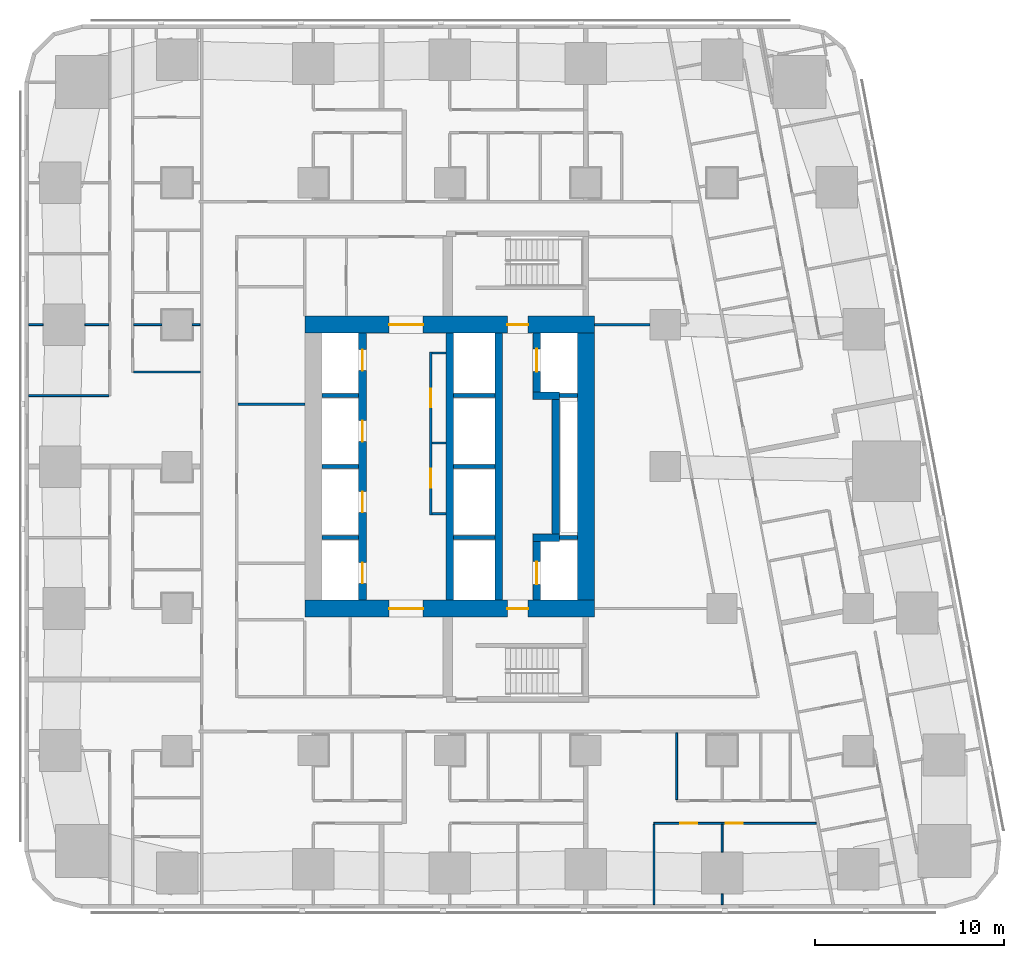
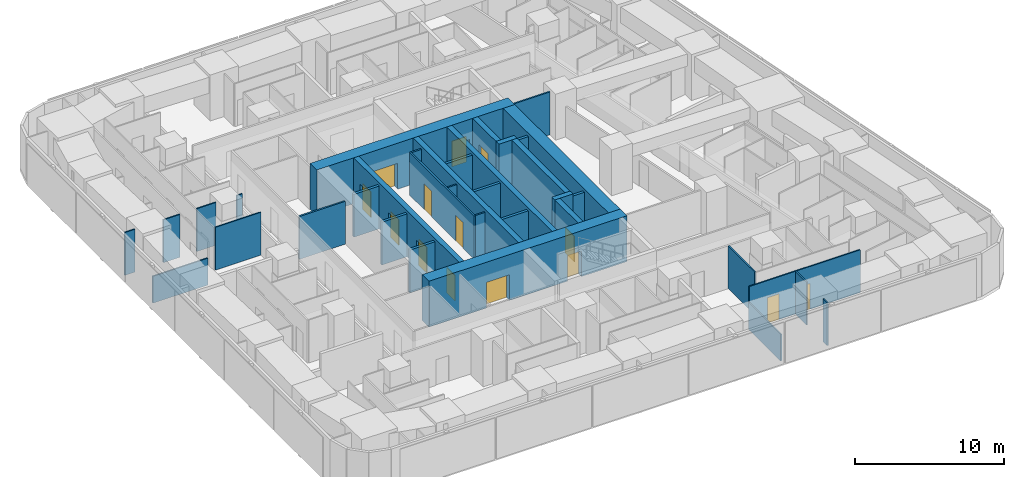
# One storey, part 6 of 17: 36 walls, 14 doors, 14 openings.
"""IFC4 building model written with IfcOpenShell, lengths in metres."""

from ifc_helpers import new_model, si_unit, direction, frame, frame_2d, origin, place, context, subcontext, project, spatial, rectangle, extrude, material, layer, layer_set, type_object, element, fill, save


model = new_model("IFC4")

# Units and contexts
model_context = context("Model", 3, precision=1e-05, world=origin(), true_north=direction((0.0, 1.0)))
body_context = subcontext(model_context, "Body", "Model", "MODEL_VIEW")
ifc_project = project(units=[si_unit("LENGTHUNIT", "METRE"), si_unit("AREAUNIT", "SQUARE_METRE"), si_unit("VOLUMEUNIT", "CUBIC_METRE"), si_unit("PLANEANGLEUNIT", "RADIAN"), si_unit("MASSUNIT", "GRAM", prefix="KILO")], contexts=[model_context])

# Site, building, storey
site_placement = place(None, origin())
site = spatial("IfcSite", under=ifc_project, at=site_placement, CompositionType="ELEMENT")
building_placement = place(site_placement, origin())
building = spatial("IfcBuilding", under=site, at=building_placement, Name="Sheger Commons Tower", CompositionType="ELEMENT")
storey_placement = place(building_placement, frame((0.0, 0.0, 115.39990234375)))
storey = spatial("IfcBuildingStorey", under=building, at=storey_placement, Name="L29", CompositionType="ELEMENT", Elevation=115.39990234375)

# Wall, openings, doors
ifc_material_1 = material(Name="Concrete C50/60", Category="concrete")
ifc_layer_1 = layer(ifc_material_1, 0.39990234375)
ifc_layer_set_1 = layer_set([ifc_layer_1], Name="CORE INNER WALL 400")
wall_type_1 = type_object("IfcWallType", Name="CORE INNER WALL 400", PredefinedType="SHEAR", material=ifc_layer_set_1)
wall_1_placement = place(storey_placement, frame((17.0, 15.449951171875, 0.0), z_axis=(0.0, 0.0, 1.0), x_axis=(0.0, 1.0, 0.0)))
wall_1 = element("IfcWall", 1, at=wall_1_placement, inside=storey, type_object=wall_type_1, Name="Core inner wall A L29", PredefinedType="SHEAR", context=body_context, shape_type="SweptSolid", body=[
    extrude(rectangle(XDim=14.10009765625, YDim=0.39990234375, at=frame_2d((7.050048828125, 0.0))), origin(), (0.0, 0.0, 1.0), 3.75),
])
opening_1_placement = place(wall_1_placement, frame((0.875, 0.0, 0.0)))
opening_1 = element("IfcOpeningElement", 2, at=opening_1_placement, cuts=wall_1, Name="Opening LD", PredefinedType="OPENING", context=body_context, shape_type="SweptSolid", body=[
    extrude(rectangle(XDim=1.10009765625, YDim=2.10009765625, at=frame_2d((0.550048828125, 1.050048828125))), frame((0.0, 0.2099609375, 0.0), z_axis=(0.0, -1.0, 0.0), x_axis=(1.0, 0.0, 0.0)), (0.0, 0.0, 1.0), 0.419921875),
])
opening_2_placement = place(wall_1_placement, frame((4.625, 0.0, 0.0)))
opening_2 = element("IfcOpeningElement", 3, at=opening_2_placement, cuts=wall_1, Name="Opening LD", PredefinedType="OPENING", context=body_context, shape_type="SweptSolid", body=[
    extrude(rectangle(XDim=1.10009765625, YDim=2.10009765625, at=frame_2d((0.550048828125, 1.050048828125))), frame((0.0, 0.2099609375, 0.0), z_axis=(0.0, -1.0, 0.0), x_axis=(1.0, 0.0, 0.0)), (0.0, 0.0, 1.0), 0.419921875),
])
opening_3_placement = place(wall_1_placement, frame((8.375, 0.0, 0.0)))
opening_3 = element("IfcOpeningElement", 4, at=opening_3_placement, cuts=wall_1, Name="Opening LD", PredefinedType="OPENING", context=body_context, shape_type="SweptSolid", body=[
    extrude(rectangle(XDim=1.10009765625, YDim=2.10009765625, at=frame_2d((0.550048828125, 1.050048828125))), frame((0.0, 0.2099609375, 0.0), z_axis=(0.0, -1.0, 0.0), x_axis=(1.0, 0.0, 0.0)), (0.0, 0.0, 1.0), 0.419921875),
])
opening_4_placement = place(wall_1_placement, frame((12.125, 0.0, 0.0)))
opening_4 = element("IfcOpeningElement", 5, at=opening_4_placement, cuts=wall_1, Name="Opening LD", PredefinedType="OPENING", context=body_context, shape_type="SweptSolid", body=[
    extrude(rectangle(XDim=1.10009765625, YDim=2.10009765625, at=frame_2d((0.550048828125, 1.050048828125))), frame((0.0, 0.2099609375, 0.0), z_axis=(0.0, -1.0, 0.0), x_axis=(1.0, 0.0, 0.0)), (0.0, 0.0, 1.0), 0.419921875),
])
ifc_material_2 = material(Name="Steel door set, fire rated", Category="steel")
door_type_1 = type_object("IfcDoorType", Name="LIFT LANDING DOOR 1100x2100", OperationType="DOUBLE_DOOR_SLIDING", PredefinedType="DOOR", material=ifc_material_2)
door_1_placement = place(opening_1_placement, origin())
door_1 = element("IfcDoor", 6, at=door_1_placement, inside=storey, type_object=door_type_1, Name="Lift LA1 landing door", OperationType="DOUBLE_DOOR_SLIDING", OverallHeight=2.10009765625, OverallWidth=1.10009765625, PredefinedType="DOOR", context=body_context, shape_type="SweptSolid", body=[
    extrude(rectangle(XDim=1.10009765625, YDim=2.10009765625, at=frame_2d((0.550048828125, 1.050048828125))), frame((0.0, 0.02490234375, 0.0), z_axis=(0.0, -1.0, 0.0), x_axis=(1.0, 0.0, 0.0)), (0.0, 0.0, 1.0), 0.050048828125),
])
fill(opening_1, door_1)
door_2_placement = place(opening_2_placement, origin())
door_2 = element("IfcDoor", 7, at=door_2_placement, inside=storey, type_object=door_type_1, Name="Lift LA2 landing door", OperationType="DOUBLE_DOOR_SLIDING", OverallHeight=2.10009765625, OverallWidth=1.10009765625, PredefinedType="DOOR", context=body_context, shape_type="SweptSolid", body=[
    extrude(rectangle(XDim=1.10009765625, YDim=2.10009765625, at=frame_2d((0.550048828125, 1.050048828125))), frame((0.0, 0.02490234375, 0.0), z_axis=(0.0, -1.0, 0.0), x_axis=(1.0, 0.0, 0.0)), (0.0, 0.0, 1.0), 0.050048828125),
])
fill(opening_2, door_2)
door_3_placement = place(opening_3_placement, origin())
door_3 = element("IfcDoor", 8, at=door_3_placement, inside=storey, type_object=door_type_1, Name="Lift LA3 landing door", OperationType="DOUBLE_DOOR_SLIDING", OverallHeight=2.10009765625, OverallWidth=1.10009765625, PredefinedType="DOOR", context=body_context, shape_type="SweptSolid", body=[
    extrude(rectangle(XDim=1.10009765625, YDim=2.10009765625, at=frame_2d((0.550048828125, 1.050048828125))), frame((0.0, 0.02490234375, 0.0), z_axis=(0.0, -1.0, 0.0), x_axis=(1.0, 0.0, 0.0)), (0.0, 0.0, 1.0), 0.050048828125),
])
fill(opening_3, door_3)
door_4_placement = place(opening_4_placement, origin())
door_4 = element("IfcDoor", 9, at=door_4_placement, inside=storey, type_object=door_type_1, Name="Lift LA4 landing door", OperationType="DOUBLE_DOOR_SLIDING", OverallHeight=2.10009765625, OverallWidth=1.10009765625, PredefinedType="DOOR", context=body_context, shape_type="SweptSolid", body=[
    extrude(rectangle(XDim=1.10009765625, YDim=2.10009765625, at=frame_2d((0.550048828125, 1.050048828125))), frame((0.0, 0.02490234375, 0.0), z_axis=(0.0, -1.0, 0.0), x_axis=(1.0, 0.0, 0.0)), (0.0, 0.0, 1.0), 0.050048828125),
])
fill(opening_4, door_4)

# Walls
for number, where, z_axis, x_axis, name in (
    (10, (21.60009765625, 15.449951171875, 0.0), (0.0, 0.0, 1.0), (0.0, 1.0, 0.0), "Core inner wall L L29"),
    (11, (24.199951171875, 15.449951171875, 0.0), (0.0, 0.0, 1.0), (0.0, 1.0, 0.0), "Core inner wall B L29"),
):
    element("IfcWall", number, at=place(storey_placement, frame(where, z_axis=z_axis, x_axis=x_axis)), inside=storey, type_object=wall_type_1, Name=name, PredefinedType="SHEAR", context=body_context, shape_type="SweptSolid", body=[
        extrude(rectangle(XDim=14.10009765625, YDim=0.39990234375, at=frame_2d((7.050048828125, 0.0))), origin(), (0.0, 0.0, 1.0), 3.75),
    ])

# Wall, opening, door
wall_2_placement = place(storey_placement, frame((26.199951171875, 15.449951171875, 0.0), z_axis=(0.0, 0.0, 1.0), x_axis=(0.0, 1.0, 0.0)))
wall_2 = element("IfcWall", 12, at=wall_2_placement, inside=storey, type_object=wall_type_1, Name="Core inner wall F L29", PredefinedType="SHEAR", context=body_context, shape_type="SweptSolid", body=[
    extrude(rectangle(XDim=3.10009765625, YDim=0.39990234375, at=frame_2d((1.550048828125, 0.0))), origin(), (0.0, 0.0, 1.0), 3.75),
])
opening_5_placement = place(wall_2_placement, frame((0.824951171875, 0.0, 0.0)))
opening_5 = element("IfcOpeningElement", 13, at=opening_5_placement, cuts=wall_2, Name="Opening LD2", PredefinedType="OPENING", context=body_context, shape_type="SweptSolid", body=[
    extrude(rectangle(XDim=1.199951171875, YDim=2.10009765625, at=frame_2d((0.60009765625, 1.050048828125))), frame((0.0, 0.2099609375, 0.0), z_axis=(0.0, -1.0, 0.0), x_axis=(1.0, 0.0, 0.0)), (0.0, 0.0, 1.0), 0.419921875),
])
ifc_material_3 = material(Name="Steel door set, fire rated", Category="steel")
door_type_2 = type_object("IfcDoorType", Name="FIREFIGHTING LIFT LANDING DOOR 1200x2100", OperationType="DOUBLE_DOOR_SLIDING", PredefinedType="DOOR", material=ifc_material_3)
door_5_placement = place(opening_5_placement, origin())
door_5 = element("IfcDoor", 14, at=door_5_placement, inside=storey, type_object=door_type_2, Name="Lift FL1 landing door", OperationType="DOUBLE_DOOR_SLIDING", OverallHeight=2.10009765625, OverallWidth=1.199951171875, PredefinedType="DOOR", context=body_context, shape_type="SweptSolid", body=[
    extrude(rectangle(XDim=1.199951171875, YDim=2.10009765625, at=frame_2d((0.60009765625, 1.050048828125))), frame((0.0, 0.02490234375, 0.0), z_axis=(0.0, -1.0, 0.0), x_axis=(1.0, 0.0, 0.0)), (0.0, 0.0, 1.0), 0.050048828125),
])
fill(opening_5, door_5)

# Walls
wall_3_placement = place(storey_placement, frame((26.0, 18.75, 0.0), z_axis=(0.0, 0.0, 1.0), x_axis=(1.0, 0.0, 0.0)))
element("IfcWall", 15, at=wall_3_placement, inside=storey, type_object=wall_type_1, Name="Core inner wall F south return L29", PredefinedType="SHEAR", context=body_context, shape_type="SweptSolid", body=[
    extrude(rectangle(XDim=1.39990234375, YDim=0.39990234375, at=frame_2d((0.699951171875, 0.0))), origin(), (0.0, 0.0, 1.0), 3.75),
])
wall_4_placement = place(storey_placement, frame((27.199951171875, 18.949951171875, 0.0), z_axis=(0.0, 0.0, 1.0), x_axis=(0.0, 1.0, 0.0)))
element("IfcWall", 16, at=wall_4_placement, inside=storey, type_object=wall_type_1, Name="Core inner wall F middle L29", PredefinedType="SHEAR", context=body_context, shape_type="SweptSolid", body=[
    extrude(rectangle(XDim=7.10009765625, YDim=0.39990234375, at=frame_2d((3.550048828125, 0.0))), origin(), (0.0, 0.0, 1.0), 3.75),
])
wall_5_placement = place(storey_placement, frame((26.0, 26.25, 0.0), z_axis=(0.0, 0.0, 1.0), x_axis=(1.0, 0.0, 0.0)))
element("IfcWall", 17, at=wall_5_placement, inside=storey, type_object=wall_type_1, Name="Core inner wall F north return L29", PredefinedType="SHEAR", context=body_context, shape_type="SweptSolid", body=[
    extrude(rectangle(XDim=1.39990234375, YDim=0.39990234375, at=frame_2d((0.699951171875, 0.0))), origin(), (0.0, 0.0, 1.0), 3.75),
])

# Wall, opening, door
wall_6_placement = place(storey_placement, frame((26.199951171875, 26.449951171875, 0.0), z_axis=(0.0, 0.0, 1.0), x_axis=(0.0, 1.0, 0.0)))
wall_6 = element("IfcWall", 18, at=wall_6_placement, inside=storey, type_object=wall_type_1, Name="Core inner wall F north L29", PredefinedType="SHEAR", context=body_context, shape_type="SweptSolid", body=[
    extrude(rectangle(XDim=3.10009765625, YDim=0.39990234375, at=frame_2d((1.550048828125, 0.0))), origin(), (0.0, 0.0, 1.0), 3.75),
])
opening_6_placement = place(wall_6_placement, frame((1.074951171875, 0.0, 0.0)))
opening_6 = element("IfcOpeningElement", 19, at=opening_6_placement, cuts=wall_6, Name="Opening LD2", PredefinedType="OPENING", context=body_context, shape_type="SweptSolid", body=[
    extrude(rectangle(XDim=1.199951171875, YDim=2.10009765625, at=frame_2d((0.60009765625, 1.050048828125))), frame((0.0, 0.2099609375, 0.0), z_axis=(0.0, -1.0, 0.0), x_axis=(1.0, 0.0, 0.0)), (0.0, 0.0, 1.0), 0.419921875),
])
door_6_placement = place(opening_6_placement, origin())
door_6 = element("IfcDoor", 20, at=door_6_placement, inside=storey, type_object=door_type_2, Name="Lift FL2 landing door", OperationType="DOUBLE_DOOR_SLIDING", OverallHeight=2.10009765625, OverallWidth=1.199951171875, PredefinedType="DOOR", context=body_context, shape_type="SweptSolid", body=[
    extrude(rectangle(XDim=1.199951171875, YDim=2.10009765625, at=frame_2d((0.60009765625, 1.050048828125))), frame((0.0, 0.02490234375, 0.0), z_axis=(0.0, -1.0, 0.0), x_axis=(1.0, 0.0, 0.0)), (0.0, 0.0, 1.0), 0.050048828125),
])
fill(opening_6, door_6)

# Wall, openings, doors
ifc_material_4 = material(Name="Concrete C50/60", Category="concrete")
ifc_layer_2 = layer(ifc_material_4, 0.89990234375)
ifc_layer_set_2 = layer_set([ifc_layer_2], Name="CORE WALL 900")
wall_type_2 = type_object("IfcWallType", Name="CORE WALL 900", PredefinedType="SHEAR", material=ifc_layer_set_2)
wall_7_placement = place(storey_placement, frame((13.949951171875, 15.0, 0.0), z_axis=(0.0, 0.0, 1.0), x_axis=(1.0, 0.0, 0.0)))
wall_7 = element("IfcWall", 21, at=wall_7_placement, inside=storey, type_object=wall_type_2, Name="Core wall south L29", PredefinedType="SHEAR", context=body_context, shape_type="SweptSolid", body=[
    extrude(rectangle(XDim=15.300048828125, YDim=0.89990234375, at=frame_2d((7.64990234375, 0.0))), origin(), (0.0, 0.0, 1.0), 3.75),
])
opening_7_placement = place(wall_7_placement, frame((4.449951171875, 0.0, 0.0)))
opening_7 = element("IfcOpeningElement", 22, at=opening_7_placement, cuts=wall_7, Name="Opening D6", PredefinedType="OPENING", context=body_context, shape_type="SweptSolid", body=[
    extrude(rectangle(XDim=1.800048828125, YDim=2.10009765625, at=frame_2d((0.89990234375, 1.050048828125))), frame((0.0, 0.4599609375, 0.0), z_axis=(0.0, -1.0, 0.0), x_axis=(1.0, 0.0, 0.0)), (0.0, 0.0, 1.0), 0.919921875),
])
opening_8_placement = place(wall_7_placement, frame((10.699951171875, 0.0, 0.0)))
opening_8 = element("IfcOpeningElement", 23, at=opening_8_placement, cuts=wall_7, Name="Opening D5", PredefinedType="OPENING", context=body_context, shape_type="SweptSolid", body=[
    extrude(rectangle(XDim=1.10009765625, YDim=2.10009765625, at=frame_2d((0.550048828125, 1.050048828125))), frame((0.0, 0.4599609375, 0.0), z_axis=(0.0, -1.0, 0.0), x_axis=(1.0, 0.0, 0.0)), (0.0, 0.0, 1.0), 0.919921875),
])
ifc_material_5 = material(Name="Steel door set, fire rated", Category="steel")
door_type_3 = type_object("IfcDoorType", Name="LOBBY DOUBLE DOOR 1800x2100", OperationType="DOUBLE_DOOR_SINGLE_SWING", PredefinedType="DOOR", material=ifc_material_5)
door_7_placement = place(opening_7_placement, origin())
door_7 = element("IfcDoor", 24, at=door_7_placement, inside=storey, type_object=door_type_3, Name="Lift lobby door", OperationType="DOUBLE_DOOR_SINGLE_SWING", OverallHeight=2.10009765625, OverallWidth=1.800048828125, PredefinedType="DOOR", context=body_context, shape_type="SweptSolid", body=[
    extrude(rectangle(XDim=1.800048828125, YDim=2.10009765625, at=frame_2d((0.89990234375, 1.050048828125))), frame((0.0, 0.02490234375, 0.0), z_axis=(0.0, -1.0, 0.0), x_axis=(1.0, 0.0, 0.0)), (0.0, 0.0, 1.0), 0.050048828125),
])
fill(opening_7, door_7)
ifc_material_6 = material(Name="Steel door set, fire rated", Category="steel")
door_type_4 = type_object("IfcDoorType", Name="STAIR DOOR 1100x2100", OperationType="NOTDEFINED", PredefinedType="DOOR", material=ifc_material_6)
door_8_placement = place(opening_8_placement, origin())
door_8 = element("IfcDoor", 25, at=door_8_placement, inside=storey, type_object=door_type_4, Name="Fire-fighting lobby door", OperationType="SINGLE_SWING_RIGHT", OverallHeight=2.10009765625, OverallWidth=1.10009765625, PredefinedType="DOOR", context=body_context, shape_type="SweptSolid", body=[
    extrude(rectangle(XDim=1.10009765625, YDim=2.10009765625, at=frame_2d((0.550048828125, 1.050048828125))), frame((0.0, 0.02490234375, 0.0), z_axis=(0.0, -1.0, 0.0), x_axis=(1.0, 0.0, 0.0)), (0.0, 0.0, 1.0), 0.050048828125),
])
fill(opening_8, door_8)

wall_8_placement = place(storey_placement, frame((13.949951171875, 30.0, 0.0), z_axis=(0.0, 0.0, 1.0), x_axis=(1.0, 0.0, 0.0)))
wall_8 = element("IfcWall", 26, at=wall_8_placement, inside=storey, type_object=wall_type_2, Name="Core wall north L29", PredefinedType="SHEAR", context=body_context, shape_type="SweptSolid", body=[
    extrude(rectangle(XDim=15.300048828125, YDim=0.89990234375, at=frame_2d((7.64990234375, 0.0))), origin(), (0.0, 0.0, 1.0), 3.75),
])
opening_9_placement = place(wall_8_placement, frame((4.449951171875, 0.0, 0.0)))
opening_9 = element("IfcOpeningElement", 27, at=opening_9_placement, cuts=wall_8, Name="Opening D6", PredefinedType="OPENING", context=body_context, shape_type="SweptSolid", body=[
    extrude(rectangle(XDim=1.800048828125, YDim=2.10009765625, at=frame_2d((0.89990234375, 1.050048828125))), frame((0.0, 0.4599609375, 0.0), z_axis=(0.0, -1.0, 0.0), x_axis=(1.0, 0.0, 0.0)), (0.0, 0.0, 1.0), 0.919921875),
])
opening_10_placement = place(wall_8_placement, frame((10.699951171875, 0.0, 0.0)))
opening_10 = element("IfcOpeningElement", 28, at=opening_10_placement, cuts=wall_8, Name="Opening D5", PredefinedType="OPENING", context=body_context, shape_type="SweptSolid", body=[
    extrude(rectangle(XDim=1.10009765625, YDim=2.10009765625, at=frame_2d((0.550048828125, 1.050048828125))), frame((0.0, 0.4599609375, 0.0), z_axis=(0.0, -1.0, 0.0), x_axis=(1.0, 0.0, 0.0)), (0.0, 0.0, 1.0), 0.919921875),
])
door_9_placement = place(opening_9_placement, origin())
door_9 = element("IfcDoor", 29, at=door_9_placement, inside=storey, type_object=door_type_3, Name="Lift lobby door", OperationType="DOUBLE_DOOR_SINGLE_SWING", OverallHeight=2.10009765625, OverallWidth=1.800048828125, PredefinedType="DOOR", context=body_context, shape_type="SweptSolid", body=[
    extrude(rectangle(XDim=1.800048828125, YDim=2.10009765625, at=frame_2d((0.89990234375, 1.050048828125))), frame((0.0, 0.02490234375, 0.0), z_axis=(0.0, -1.0, 0.0), x_axis=(1.0, 0.0, 0.0)), (0.0, 0.0, 1.0), 0.050048828125),
])
fill(opening_9, door_9)
door_10_placement = place(opening_10_placement, origin())
door_10 = element("IfcDoor", 30, at=door_10_placement, inside=storey, type_object=door_type_4, Name="Fire-fighting lobby door", OperationType="SINGLE_SWING_RIGHT", OverallHeight=2.10009765625, OverallWidth=1.10009765625, PredefinedType="DOOR", context=body_context, shape_type="SweptSolid", body=[
    extrude(rectangle(XDim=1.10009765625, YDim=2.10009765625, at=frame_2d((0.550048828125, 1.050048828125))), frame((0.0, 0.02490234375, 0.0), z_axis=(0.0, -1.0, 0.0), x_axis=(1.0, 0.0, 0.0)), (0.0, 0.0, 1.0), 0.050048828125),
])
fill(opening_10, door_10)

# Walls
wall_9_placement = place(storey_placement, frame((28.800048828125, 15.449951171875, 0.0), z_axis=(0.0, 0.0, 1.0), x_axis=(0.0, 1.0, 0.0)))
element("IfcWall", 31, at=wall_9_placement, inside=storey, type_object=wall_type_2, Name="Core wall east L29", PredefinedType="SHEAR", context=body_context, shape_type="SweptSolid", body=[
    extrude(rectangle(XDim=14.10009765625, YDim=0.89990234375, at=frame_2d((7.050048828125, 0.0))), origin(), (0.0, 0.0, 1.0), 3.75),
])
ifc_material_7 = material(Name="Gypsum board on steel studs", Category="steel")
ifc_layer_3 = layer(ifc_material_7, 0.10009765625)
ifc_layer_set_3 = layer_set([ifc_layer_3], Name="PARTITION 100")
wall_type_3 = type_object("IfcWallType", Name="PARTITION 100", PredefinedType="PARTITIONING", material=ifc_layer_set_3)
wall_10_placement = place(storey_placement, frame((-0.64990234375, 26.25, 0.0), z_axis=(0.0, 0.0, 1.0), x_axis=(1.0, 0.0, 0.0)))
element("IfcWall", 32, at=wall_10_placement, inside=storey, type_object=wall_type_3, Name="Partition L29", PredefinedType="PARTITIONING", context=body_context, shape_type="SweptSolid", body=[
    extrude(rectangle(XDim=4.25, YDim=0.10009765625, at=frame_2d((2.125, 0.0))), origin(), (0.0, 0.0, 1.0), 2.2001953125),
])
wall_11_placement = place(storey_placement, frame((-0.64990234375, 30.0, 0.0), z_axis=(0.0, 0.0, 1.0), x_axis=(1.0, 0.0, 0.0)))
element("IfcWall", 33, at=wall_11_placement, inside=storey, type_object=wall_type_3, Name="Partition L29", PredefinedType="PARTITIONING", context=body_context, shape_type="SweptSolid", body=[
    extrude(rectangle(XDim=0.77392578125, YDim=0.10009765625, at=frame_2d((0.386962890625, 0.0))), origin(), (0.0, 0.0, 1.0), 3.5),
])
wall_12_placement = place(storey_placement, frame((2.325927734375, 30.0, 0.0), z_axis=(0.0, 0.0, 1.0), x_axis=(1.0, 0.0, 0.0)))
element("IfcWall", 34, at=wall_12_placement, inside=storey, type_object=wall_type_3, Name="Partition L29", PredefinedType="PARTITIONING", context=body_context, shape_type="SweptSolid", body=[
    extrude(rectangle(XDim=1.274169921875, YDim=0.10009765625, at=frame_2d((0.63720703125, 0.0))), origin(), (0.0, 0.0, 1.0), 3.5),
])
wall_13_placement = place(storey_placement, frame((4.89990234375, 27.4990234375, 0.0), z_axis=(0.0, 0.0, 1.0), x_axis=(1.0, 0.0, 0.0)))
element("IfcWall", 35, at=wall_13_placement, inside=storey, type_object=wall_type_3, Name="Partition L29", PredefinedType="PARTITIONING", context=body_context, shape_type="SweptSolid", body=[
    extrude(rectangle(XDim=3.525146484375, YDim=0.10009765625, at=frame_2d((1.7626953125, 0.0))), origin(), (0.0, 0.0, 1.0), 3.5),
])
wall_14_placement = place(storey_placement, frame((4.89990234375, 30.0, 0.0), z_axis=(0.0, 0.0, 1.0), x_axis=(1.0, 0.0, 0.0)))
element("IfcWall", 36, at=wall_14_placement, inside=storey, type_object=wall_type_3, Name="Partition L29", PredefinedType="PARTITIONING", context=body_context, shape_type="SweptSolid", body=[
    extrude(rectangle(XDim=1.4990234375, YDim=0.10009765625, at=frame_2d((0.74951171875, 0.0))), origin(), (0.0, 0.0, 1.0), 3.5),
])
wall_15_placement = place(storey_placement, frame((8.0009765625, 30.0, 0.0), z_axis=(0.0, 0.0, 1.0), x_axis=(1.0, 0.0, 0.0)))
element("IfcWall", 37, at=wall_15_placement, inside=storey, type_object=wall_type_3, Name="Partition L29", PredefinedType="PARTITIONING", context=body_context, shape_type="SweptSolid", body=[
    extrude(rectangle(XDim=0.424072265625, YDim=0.10009765625, at=frame_2d((0.2119140625, 0.0))), origin(), (0.0, 0.0, 1.0), 3.5),
])

# Wall, openings, doors
wall_16_placement = place(storey_placement, frame((40.97412109375, 3.64990234375, 0.0), z_axis=(0.0, 0.0, 1.0), x_axis=(-1.0, 0.0, 0.0)))
wall_16 = element("IfcWall", 38, at=wall_16_placement, inside=storey, type_object=wall_type_3, Name="Partition L29", PredefinedType="PARTITIONING", context=body_context, shape_type="SweptSolid", body=[
    extrude(rectangle(XDim=8.57421875, YDim=0.10009765625, at=frame_2d((4.287109375, 0.0))), origin(), (0.0, 0.0, 1.0), 3.5),
])
opening_11_placement = place(wall_16_placement, frame((6.27490234375, 0.0, 0.0)))
opening_11 = element("IfcOpeningElement", 39, at=opening_11_placement, cuts=wall_16, Name="Opening D2", PredefinedType="OPENING", context=body_context, shape_type="SweptSolid", body=[
    extrude(rectangle(XDim=0.89990234375, YDim=2.10009765625, at=frame_2d((0.449951171875, 1.050048828125))), frame((0.0, 0.06005859375, 0.0), z_axis=(0.0, -1.0, 0.0), x_axis=(1.0, 0.0, 0.0)), (0.0, 0.0, 1.0), 0.1201171875),
])
opening_12_placement = place(wall_16_placement, frame((3.8740234375, 0.0, 0.0)))
opening_12 = element("IfcOpeningElement", 40, at=opening_12_placement, cuts=wall_16, Name="Opening D2", PredefinedType="OPENING", context=body_context, shape_type="SweptSolid", body=[
    extrude(rectangle(XDim=0.89990234375, YDim=2.10009765625, at=frame_2d((0.449951171875, 1.050048828125))), frame((0.0, 0.06005859375, 0.0), z_axis=(0.0, -1.0, 0.0), x_axis=(1.0, 0.0, 0.0)), (0.0, 0.0, 1.0), 0.1201171875),
])
ifc_material_8 = material(Name="Timber door set", Category="wood")
door_type_5 = type_object("IfcDoorType", Name="INTERNAL DOOR 900x2100", OperationType="NOTDEFINED", PredefinedType="DOOR", material=ifc_material_8)
door_11_placement = place(opening_11_placement, origin())
door_11 = element("IfcDoor", 41, at=door_11_placement, inside=storey, type_object=door_type_5, Name="Main bedroom door", OperationType="SINGLE_SWING_RIGHT", OverallHeight=2.10009765625, OverallWidth=0.89990234375, PredefinedType="DOOR", context=body_context, shape_type="SweptSolid", body=[
    extrude(rectangle(XDim=0.89990234375, YDim=2.10009765625, at=frame_2d((0.449951171875, 1.050048828125))), frame((0.0, 0.02490234375, 0.0), z_axis=(0.0, -1.0, 0.0), x_axis=(1.0, 0.0, 0.0)), (0.0, 0.0, 1.0), 0.050048828125),
])
fill(opening_11, door_11)
door_12_placement = place(opening_12_placement, origin())
door_12 = element("IfcDoor", 42, at=door_12_placement, inside=storey, type_object=door_type_5, Name="Bedroom 2 door", OperationType="SINGLE_SWING_RIGHT", OverallHeight=2.10009765625, OverallWidth=0.89990234375, PredefinedType="DOOR", context=body_context, shape_type="SweptSolid", body=[
    extrude(rectangle(XDim=0.89990234375, YDim=2.10009765625, at=frame_2d((0.449951171875, 1.050048828125))), frame((0.0, 0.02490234375, 0.0), z_axis=(0.0, -1.0, 0.0), x_axis=(1.0, 0.0, 0.0)), (0.0, 0.0, 1.0), 0.050048828125),
])
fill(opening_12, door_12)

# Walls
wall_17_placement = place(storey_placement, frame((32.39990234375, -0.64990234375, 0.0), z_axis=(0.0, 0.0, 1.0), x_axis=(0.0, 1.0, 0.0)))
element("IfcWall", 43, at=wall_17_placement, inside=storey, type_object=wall_type_3, Name="Partition L29", PredefinedType="PARTITIONING", context=body_context, shape_type="SweptSolid", body=[
    extrude(rectangle(XDim=4.25, YDim=0.10009765625, at=frame_2d((2.125, 0.0))), origin(), (0.0, 0.0, 1.0), 2.2001953125),
])
wall_18_placement = place(storey_placement, frame((36.0, -0.64990234375, 0.0), z_axis=(0.0, 0.0, 1.0), x_axis=(0.0, 1.0, 0.0)))
element("IfcWall", 44, at=wall_18_placement, inside=storey, type_object=wall_type_3, Name="Partition L29", PredefinedType="PARTITIONING", context=body_context, shape_type="SweptSolid", body=[
    extrude(rectangle(XDim=0.573974609375, YDim=0.10009765625, at=frame_2d((0.287109375, 0.0))), origin(), (0.0, 0.0, 1.0), 3.5),
])
wall_19_placement = place(storey_placement, frame((36.0, 2.1259765625, 0.0), z_axis=(0.0, 0.0, 1.0), x_axis=(0.0, 1.0, 0.0)))
element("IfcWall", 45, at=wall_19_placement, inside=storey, type_object=wall_type_3, Name="Partition L29", PredefinedType="PARTITIONING", context=body_context, shape_type="SweptSolid", body=[
    extrude(rectangle(XDim=1.47412109375, YDim=0.10009765625, at=frame_2d((0.737060546875, 0.0))), origin(), (0.0, 0.0, 1.0), 3.5),
])
wall_20_placement = place(storey_placement, frame((33.59912109375, 4.89990234375, 0.0), z_axis=(0.0, 0.0, 1.0), x_axis=(0.0, 1.0, 0.0)))
element("IfcWall", 46, at=wall_20_placement, inside=storey, type_object=wall_type_3, Name="Partition L29", PredefinedType="PARTITIONING", context=body_context, shape_type="SweptSolid", body=[
    extrude(rectangle(XDim=3.525146484375, YDim=0.10009765625, at=frame_2d((1.7626953125, 0.0))), origin(), (0.0, 0.0, 1.0), 3.5),
])
ifc_material_9 = material(Name="Gypsum board on steel studs, two layers each side, fire rated", Category="steel")
ifc_layer_4 = layer(ifc_material_9, 0.125)
ifc_layer_set_4 = layer_set([ifc_layer_4], Name="SERVICE WALL 125")
wall_type_4 = type_object("IfcWallType", Name="SERVICE WALL 125", PredefinedType="PARTITIONING", material=ifc_layer_set_4)
wall_21_placement = place(storey_placement, frame((10.4130859375, 25.800048828125, 0.0), z_axis=(0.0, 0.0, 1.0), x_axis=(1.0, 0.0, 0.0)))
element("IfcWall", 47, at=wall_21_placement, inside=storey, type_object=wall_type_4, Name="Service room wall L29", PredefinedType="PARTITIONING", context=body_context, shape_type="SweptSolid", body=[
    extrude(rectangle(XDim=3.536865234375, YDim=0.125, at=frame_2d((1.7685546875, 0.0))), origin(), (0.0, 0.0, 1.0), 3.5),
])
wall_22_placement = place(storey_placement, frame((29.25, 30.0, 0.0), z_axis=(0.0, 0.0, 1.0), x_axis=(1.0, 0.0, 0.0)))
element("IfcWall", 48, at=wall_22_placement, inside=storey, type_object=wall_type_4, Name="Service room wall L29", PredefinedType="PARTITIONING", context=body_context, shape_type="SweptSolid", body=[
    extrude(rectangle(XDim=2.948974609375, YDim=0.125, at=frame_2d((1.474609375, 0.0))), origin(), (0.0, 0.0, 1.0), 3.5),
])

# Wall, openings, doors
wall_23_placement = place(storey_placement, frame((20.60009765625, 19.93798828125, 0.0), z_axis=(0.0, 0.0, 1.0), x_axis=(0.0, 1.0, 0.0)))
wall_23 = element("IfcWall", 49, at=wall_23_placement, inside=storey, type_object=wall_type_4, Name="Service room wall L29", PredefinedType="PARTITIONING", context=body_context, shape_type="SweptSolid", body=[
    extrude(rectangle(XDim=8.6240234375, YDim=0.125, at=frame_2d((4.31201171875, 0.0))), origin(), (0.0, 0.0, 1.0), 3.5),
])
opening_13_placement = place(wall_23_placement, frame((1.43701171875, 0.0, 0.0)))
opening_13 = element("IfcOpeningElement", 50, at=opening_13_placement, cuts=wall_23, Name="Opening D4", PredefinedType="OPENING", context=body_context, shape_type="SweptSolid", body=[
    extrude(rectangle(XDim=1.0, YDim=2.10009765625, at=frame_2d((0.5, 1.050048828125))), frame((0.0, 0.072509765625, 0.0), z_axis=(0.0, -1.0, 0.0), x_axis=(1.0, 0.0, 0.0)), (0.0, 0.0, 1.0), 0.14501953125),
])
opening_14_placement = place(wall_23_placement, frame((5.68701171875, 0.0, 0.0)))
opening_14 = element("IfcOpeningElement", 51, at=opening_14_placement, cuts=wall_23, Name="Opening D4", PredefinedType="OPENING", context=body_context, shape_type="SweptSolid", body=[
    extrude(rectangle(XDim=1.0, YDim=2.10009765625, at=frame_2d((0.5, 1.050048828125))), frame((0.0, 0.072509765625, 0.0), z_axis=(0.0, -1.0, 0.0), x_axis=(1.0, 0.0, 0.0)), (0.0, 0.0, 1.0), 0.14501953125),
])
ifc_material_10 = material(Name="Steel door set, fire rated", Category="steel")
door_type_6 = type_object("IfcDoorType", Name="SERVICE DOOR 1000x2100", OperationType="NOTDEFINED", PredefinedType="DOOR", material=ifc_material_10)
door_13_placement = place(opening_13_placement, origin())
door_13 = element("IfcDoor", 52, at=door_13_placement, inside=storey, type_object=door_type_6, Name="Water meter cupboard door", OperationType="SINGLE_SWING_LEFT", OverallHeight=2.10009765625, OverallWidth=1.0, PredefinedType="DOOR", context=body_context, shape_type="SweptSolid", body=[
    extrude(rectangle(XDim=1.0, YDim=2.10009765625, at=frame_2d((0.5, 1.050048828125))), frame((0.0, 0.02490234375, 0.0), z_axis=(0.0, -1.0, 0.0), x_axis=(1.0, 0.0, 0.0)), (0.0, 0.0, 1.0), 0.050048828125),
])
fill(opening_13, door_13)
door_14_placement = place(opening_14_placement, origin())
door_14 = element("IfcDoor", 53, at=door_14_placement, inside=storey, type_object=door_type_6, Name="Linen cupboard door", OperationType="SINGLE_SWING_RIGHT", OverallHeight=2.10009765625, OverallWidth=1.0, PredefinedType="DOOR", context=body_context, shape_type="SweptSolid", body=[
    extrude(rectangle(XDim=1.0, YDim=2.10009765625, at=frame_2d((0.5, 1.050048828125))), frame((0.0, 0.02490234375, 0.0), z_axis=(0.0, -1.0, 0.0), x_axis=(1.0, 0.0, 0.0)), (0.0, 0.0, 1.0), 0.050048828125),
])
fill(opening_14, door_14)

# Walls
for number, where, z_axis, x_axis, name in (
    (54, (20.6630859375, 20.0, 0.0), (0.0, 0.0, 1.0), (1.0, 0.0, 0.0), "Service room wall L29"),
    (55, (20.6630859375, 28.5, 0.0), (0.0, 0.0, 1.0), (1.0, 0.0, 0.0), "Service room wall L29"),
    (56, (20.6630859375, 23.75, 0.0), (0.0, 0.0, 1.0), (1.0, 0.0, 0.0), "Service room wall L29"),
):
    element("IfcWall", number, at=place(storey_placement, frame(where, z_axis=z_axis, x_axis=x_axis)), inside=storey, type_object=wall_type_4, Name=name, PredefinedType="PARTITIONING", context=body_context, shape_type="SweptSolid", body=[
        extrude(rectangle(XDim=0.73681640625, YDim=0.125, at=frame_2d((0.368408203125, 0.0))), origin(), (0.0, 0.0, 1.0), 3.5),
    ])
ifc_material_11 = material(Name="Hollow concrete block masonry", Category="masonry")
ifc_layer_5 = layer(ifc_material_11, 0.199951171875)
ifc_layer_set_5 = layer_set([ifc_layer_5], Name="SHAFT WALL 200")
wall_type_5 = type_object("IfcWallType", Name="SHAFT WALL 200", PredefinedType="SOLIDWALL", material=ifc_layer_set_5)
wall_24_placement = place(storey_placement, frame((14.85009765625, 18.75, 0.0), z_axis=(0.0, 0.0, 1.0), x_axis=(1.0, 0.0, 0.0)))
element("IfcWall", 57, at=wall_24_placement, inside=storey, type_object=wall_type_5, Name="Lift shaft wall L29", PredefinedType="SOLIDWALL", context=body_context, shape_type="SweptSolid", body=[
    extrude(rectangle(XDim=1.949951171875, YDim=0.199951171875, at=frame_2d((0.97509765625, 0.0))), origin(), (0.0, 0.0, 1.0), 3.5),
])
wall_25_placement = place(storey_placement, frame((21.800048828125, 18.75, 0.0), z_axis=(0.0, 0.0, 1.0), x_axis=(1.0, 0.0, 0.0)))
element("IfcWall", 58, at=wall_25_placement, inside=storey, type_object=wall_type_5, Name="Lift shaft wall L29", PredefinedType="SOLIDWALL", context=body_context, shape_type="SweptSolid", body=[
    extrude(rectangle(XDim=2.199951171875, YDim=0.199951171875, at=frame_2d((1.10009765625, 0.0))), origin(), (0.0, 0.0, 1.0), 3.5),
])
wall_26_placement = place(storey_placement, frame((14.85009765625, 22.5, 0.0), z_axis=(0.0, 0.0, 1.0), x_axis=(1.0, 0.0, 0.0)))
element("IfcWall", 59, at=wall_26_placement, inside=storey, type_object=wall_type_5, Name="Lift shaft wall L29", PredefinedType="SOLIDWALL", context=body_context, shape_type="SweptSolid", body=[
    extrude(rectangle(XDim=1.949951171875, YDim=0.199951171875, at=frame_2d((0.97509765625, 0.0))), origin(), (0.0, 0.0, 1.0), 3.5),
])
wall_27_placement = place(storey_placement, frame((21.800048828125, 22.5, 0.0), z_axis=(0.0, 0.0, 1.0), x_axis=(1.0, 0.0, 0.0)))
element("IfcWall", 60, at=wall_27_placement, inside=storey, type_object=wall_type_5, Name="Lift shaft wall L29", PredefinedType="SOLIDWALL", context=body_context, shape_type="SweptSolid", body=[
    extrude(rectangle(XDim=2.199951171875, YDim=0.199951171875, at=frame_2d((1.10009765625, 0.0))), origin(), (0.0, 0.0, 1.0), 3.5),
])
wall_28_placement = place(storey_placement, frame((14.85009765625, 26.25, 0.0), z_axis=(0.0, 0.0, 1.0), x_axis=(1.0, 0.0, 0.0)))
element("IfcWall", 61, at=wall_28_placement, inside=storey, type_object=wall_type_5, Name="Lift shaft wall L29", PredefinedType="SOLIDWALL", context=body_context, shape_type="SweptSolid", body=[
    extrude(rectangle(XDim=1.949951171875, YDim=0.199951171875, at=frame_2d((0.97509765625, 0.0))), origin(), (0.0, 0.0, 1.0), 3.5),
])
wall_29_placement = place(storey_placement, frame((21.800048828125, 26.25, 0.0), z_axis=(0.0, 0.0, 1.0), x_axis=(1.0, 0.0, 0.0)))
element("IfcWall", 62, at=wall_29_placement, inside=storey, type_object=wall_type_5, Name="Lift shaft wall L29", PredefinedType="SOLIDWALL", context=body_context, shape_type="SweptSolid", body=[
    extrude(rectangle(XDim=2.199951171875, YDim=0.199951171875, at=frame_2d((1.10009765625, 0.0))), origin(), (0.0, 0.0, 1.0), 3.5),
])
for number, where, z_axis, x_axis, name in (
    (63, (27.39990234375, 18.75, 0.0), (0.0, 0.0, 1.0), (1.0, 0.0, 0.0), "Lift shaft wall L29"),
    (64, (27.39990234375, 26.25, 0.0), (0.0, 0.0, 1.0), (1.0, 0.0, 0.0), "Lift shaft wall L29"),
):
    element("IfcWall", number, at=place(storey_placement, frame(where, z_axis=z_axis, x_axis=x_axis)), inside=storey, type_object=wall_type_5, Name=name, PredefinedType="SOLIDWALL", context=body_context, shape_type="SweptSolid", body=[
        extrude(rectangle(XDim=0.9501953125, YDim=0.199951171875, at=frame_2d((0.47509765625, 0.0))), origin(), (0.0, 0.0, 1.0), 3.5),
    ])

save(model, "model.ifc")
